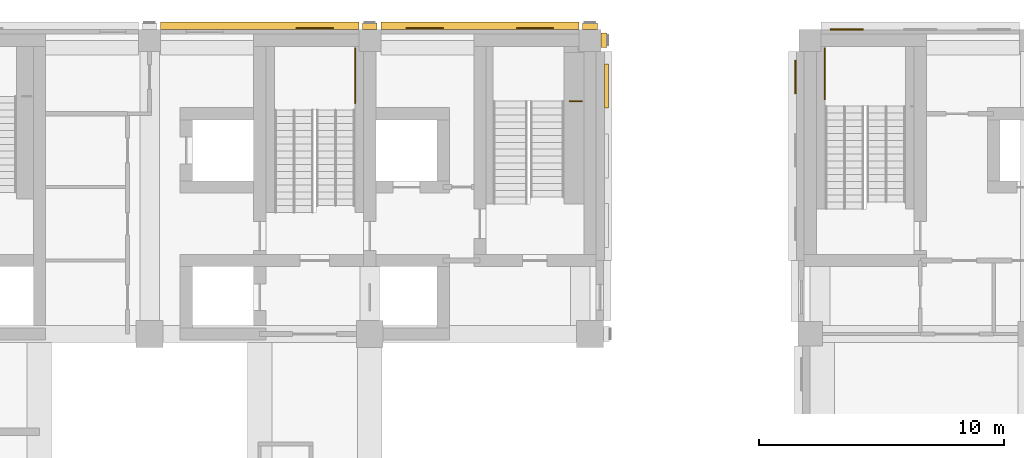
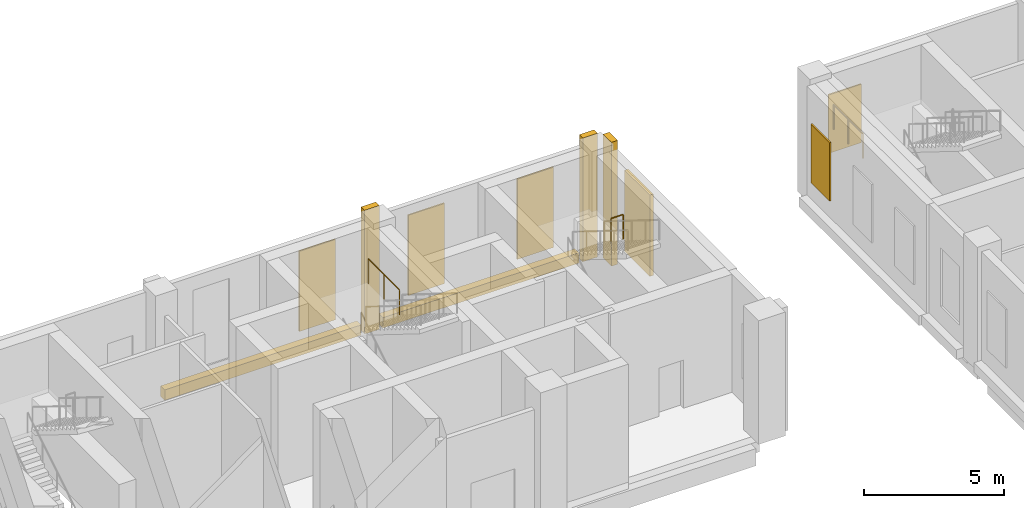
# One storey, part 48 of 53: 11 coverings, 3 railings.
"""IFC4 building model written with IfcOpenShell, lengths in metres."""

from ifc_helpers import new_model, si_unit, direction, frame, origin, origin_2d, place, context, subcontext, project, spatial, rectangle, circle, extrude, material, layer, layer_set, type_object, element, save


model = new_model("IFC4")

# Units and contexts
model_context = context("Model", 3, precision=1e-05, world=origin(), true_north=direction((0.0, 1.0)))
body_context = subcontext(model_context, "Body", "Model", "MODEL_VIEW")
ifc_project = project(units=[si_unit("LENGTHUNIT", "METRE"), si_unit("AREAUNIT", "SQUARE_METRE"), si_unit("VOLUMEUNIT", "CUBIC_METRE"), si_unit("PLANEANGLEUNIT", "RADIAN"), si_unit("MASSUNIT", "GRAM", prefix="KILO")], contexts=[model_context])

# Site, building, storey
site_placement = place(None, origin())
site = spatial("IfcSite", under=ifc_project, at=site_placement, CompositionType="ELEMENT")
building_placement = place(site_placement, origin())
building = spatial("IfcBuilding", under=site, at=building_placement, Name="Aurelan Courthouse", CompositionType="ELEMENT")
storey_placement = place(building_placement, frame((0.0, 0.0, 12.0)))
storey = spatial("IfcBuildingStorey", under=building, at=storey_placement, Name="L02", CompositionType="ELEMENT", Elevation=12.0)

# Coverings
ifc_material_1 = material(Name="Bronze sheet cladding")
ifc_layer_1 = layer(ifc_material_1, 0.06005859375)
ifc_layer_set_1 = layer_set([ifc_layer_1], Name="Bronze sheet cladding")
covering_type_1 = type_object("IfcCoveringType", Name="Courtroom Block blind bay 1500 x 3500", PredefinedType="CLADDING", material=ifc_layer_set_1)
for number, where, z_axis, x_axis, name in (
    (1, (51.75, 66.47998046875, 1.050048828125), (0.0, 0.0, 1.0), (1.0, 0.0, 0.0), "Blind bay BB-V2-L02-002"),
    (2, (56.25, 66.47998046875, 1.050048828125), (0.0, 0.0, 1.0), (1.0, 0.0, 0.0), "Blind bay BB-V2-L02-003"),
    (3, (60.75, 66.47998046875, 1.050048828125), (0.0, 0.0, 1.0), (1.0, 0.0, 0.0), "Blind bay BB-V2-L02-004"),
):
    element("IfcCovering", number, at=place(storey_placement, frame(where, z_axis=z_axis, x_axis=x_axis)), inside=storey, type_object=covering_type_1, Name=name, PredefinedType="CLADDING", context=body_context, shape_type="SweptSolid", body=[
        extrude(rectangle(XDim=1.5, YDim=0.06005859375, at=origin_2d()), origin(), (0.0, 0.0, 1.0), 3.5),
    ])
ifc_material_2 = material(Name="Limestone cladding", Category="masonry")
covering_type_2 = type_object("IfcCoveringType", Name="Courtroom Block pilaster fin 600 x 250", PredefinedType="CLADDING", material=ifc_material_2)
for number, where, z_axis, x_axis, name in (
    (4, (54.0, 66.574951171875, 0.0), (0.0, 0.0, 1.0), (1.0, 0.0, 0.0), "Pilaster fin FN-V2-005"),
    (5, (63.0, 66.574951171875, 0.0), (0.0, 0.0, 1.0), (1.0, 0.0, 0.0), "Pilaster fin FN-V2-006"),
):
    element("IfcCovering", number, at=place(storey_placement, frame(where, z_axis=z_axis, x_axis=x_axis)), inside=storey, type_object=covering_type_2, Name=name, PredefinedType="CLADDING", context=body_context, shape_type="SweptSolid", body=[
        extrude(rectangle(XDim=0.60009765625, YDim=0.25, at=origin_2d()), origin(), (0.0, 0.0, 1.0), 5.39990234375),
    ])
covering_1_placement = place(storey_placement, frame((63.574951171875, 66.0, 0.0), z_axis=(0.0, 0.0, 1.0), x_axis=(1.0, 0.0, 0.0)))
element("IfcCovering", 6, at=covering_1_placement, inside=storey, type_object=covering_type_2, Name="Pilaster fin FN-V2-008", PredefinedType="CLADDING", context=body_context, shape_type="SweptSolid", body=[
    extrude(rectangle(XDim=0.25, YDim=0.60009765625, at=origin_2d()), origin(), (0.0, 0.0, 1.0), 5.39990234375),
])
covering_type_3 = type_object("IfcCoveringType", Name="Courtroom Block string course 450 x 300", PredefinedType="CLADDING", material=ifc_material_2)
for number, where, z_axis, x_axis, name in (
    (7, (49.5, 66.60009765625, 0.0), (0.0, 0.0, 1.0), (1.0, 0.0, 0.0), "String course SC-V2-009"),
    (8, (58.5, 66.60009765625, 0.0), (0.0, 0.0, 1.0), (1.0, 0.0, 0.0), "String course SC-V2-010"),
):
    element("IfcCovering", number, at=place(storey_placement, frame(where, z_axis=z_axis, x_axis=x_axis)), inside=storey, type_object=covering_type_3, Name=name, PredefinedType="CLADDING", context=body_context, shape_type="SweptSolid", body=[
        extrude(rectangle(XDim=8.10009765625, YDim=0.300048828125, at=origin_2d()), origin(), (0.0, 0.0, 1.0), 0.449951171875),
    ])
ifc_layer_2 = layer(ifc_material_1, 0.06005859375)
ifc_layer_set_2 = layer_set([ifc_layer_2], Name="Bronze sheet cladding")
covering_type_4 = type_object("IfcCoveringType", Name="Law Library blind bay 1350 x 2550", PredefinedType="CLADDING", material=ifc_layer_set_2)
covering_2_placement = place(storey_placement, frame((73.5, 66.449951171875, 1.2001953125), z_axis=(0.0, 0.0, 1.0), x_axis=(1.0, 0.0, 0.0)))
element("IfcCovering", 9, at=covering_2_placement, inside=storey, type_object=covering_type_4, Name="Blind bay BB-V3-L02-001", PredefinedType="CLADDING", context=body_context, shape_type="SweptSolid", body=[
    extrude(rectangle(XDim=1.35009765625, YDim=0.06005859375, at=origin_2d()), origin(), (0.0, 0.0, 1.0), 2.550048828125),
])
covering_3_placement = place(storey_placement, frame((71.39990234375, 64.5, 1.2001953125), z_axis=(0.0, 0.0, 1.0), x_axis=(1.0, 0.0, 0.0)))
element("IfcCovering", 10, at=covering_3_placement, inside=storey, type_object=covering_type_4, Name="Blind bay BB-V3-L02-014", PredefinedType="CLADDING", context=body_context, shape_type="SweptSolid", body=[
    extrude(rectangle(XDim=0.06005859375, YDim=1.35009765625, at=origin_2d()), origin(), (0.0, 0.0, 1.0), 2.550048828125),
])
ifc_layer_3 = layer(ifc_material_1, 0.14990234375)
ifc_layer_set_3 = layer_set([ifc_layer_3], Name="Bronze sheet cladding")
covering_type_5 = type_object("IfcCoveringType", Name="Relief panel 1800 x 3550 x 150", PredefinedType="CLADDING", material=ifc_layer_set_3)
covering_4_placement = place(storey_placement, frame((63.675048828125, 64.125, 1.0), z_axis=(0.0, 0.0, 1.0), x_axis=(1.0, 0.0, 0.0)))
element("IfcCovering", 11, at=covering_4_placement, inside=storey, type_object=covering_type_5, Name="Relief panel RP-V2-017", PredefinedType="CLADDING", context=body_context, shape_type="SweptSolid", body=[
    extrude(rectangle(XDim=0.14990234375, YDim=1.800048828125, at=origin_2d()), origin(), (0.0, 0.0, 1.0), 3.550048828125),
])

# Railings
ifc_material_3 = material(Name="Steel S355", Category="steel")
railing_type = type_object("IfcRailingType", Name="Stair guard 1100", PredefinedType="GUARDRAIL", material=ifc_material_3)
railing_1_placement = place(storey_placement, frame((53.39990234375, 65.669921875, 2.787109375)))
element("IfcRailing", 12, at=railing_1_placement, inside=storey, type_object=railing_type, Name="Guard ST-2A-L02-GL1", PredefinedType="GUARDRAIL", context=body_context, shape_type="SweptSolid", body=[
    extrude(circle(Radius=0.02392578125, at=origin_2d()), frame((0.0, 0.0, 1.076171875), z_axis=(0.0, -1.0, 0.0), x_axis=(1.0, 0.0, 0.0)), (0.0, 0.0, 1.0), 2.234619140625),
    extrude(circle(Radius=0.02099609375, at=origin_2d()), origin(), (0.0, 0.0, 1.0), 1.052001953125),
    extrude(circle(Radius=0.02099609375, at=origin_2d()), frame((0.0, -1.1171875, 0.0)), (0.0, 0.0, 1.0), 1.052001953125),
    extrude(circle(Radius=0.02099609375, at=origin_2d()), frame((0.0, -2.234619140625, 0.0)), (0.0, 0.0, 1.0), 1.052001953125),
])
railing_2_placement = place(storey_placement, frame((62.669921875, 63.510009765625, 2.787109375)))
element("IfcRailing", 13, at=railing_2_placement, inside=storey, type_object=railing_type, Name="Guard ST-2E-L02-GL1", PredefinedType="GUARDRAIL", context=body_context, shape_type="SweptSolid", body=[
    extrude(circle(Radius=0.02392578125, at=origin_2d()), frame((0.0, 0.0, 1.076171875), z_axis=(-1.0, 0.0, 0.0), x_axis=(0.0, -1.0, 0.0)), (0.0, 0.0, 1.0), 0.5),
    extrude(circle(Radius=0.02099609375, at=origin_2d()), origin(), (0.0, 0.0, 1.0), 1.052001953125),
    extrude(circle(Radius=0.02099609375, at=origin_2d()), frame((-0.5, 0.0, 0.0)), (0.0, 0.0, 1.0), 1.052001953125),
])
railing_3_placement = place(storey_placement, frame((72.60009765625, 63.585205078125, 2.787109375)))
element("IfcRailing", 14, at=railing_3_placement, inside=storey, type_object=railing_type, Name="Guard ST-3A-L02-GL1", PredefinedType="GUARDRAIL", context=body_context, shape_type="SweptSolid", body=[
    extrude(circle(Radius=0.02392578125, at=origin_2d()), frame((0.0, 0.0, 1.076171875), z_axis=(0.0, 1.0, 0.0), x_axis=(-1.0, 0.0, 0.0)), (0.0, 0.0, 1.0), 2.084716796875),
    extrude(circle(Radius=0.02099609375, at=origin_2d()), origin(), (0.0, 0.0, 1.0), 1.052001953125),
    extrude(circle(Radius=0.02099609375, at=origin_2d()), frame((0.0, 1.04248046875, 0.0)), (0.0, 0.0, 1.0), 1.052001953125),
    extrude(circle(Radius=0.02099609375, at=origin_2d()), frame((0.0, 2.084716796875, 0.0)), (0.0, 0.0, 1.0), 1.052001953125),
])

save(model, "model.ifc")
